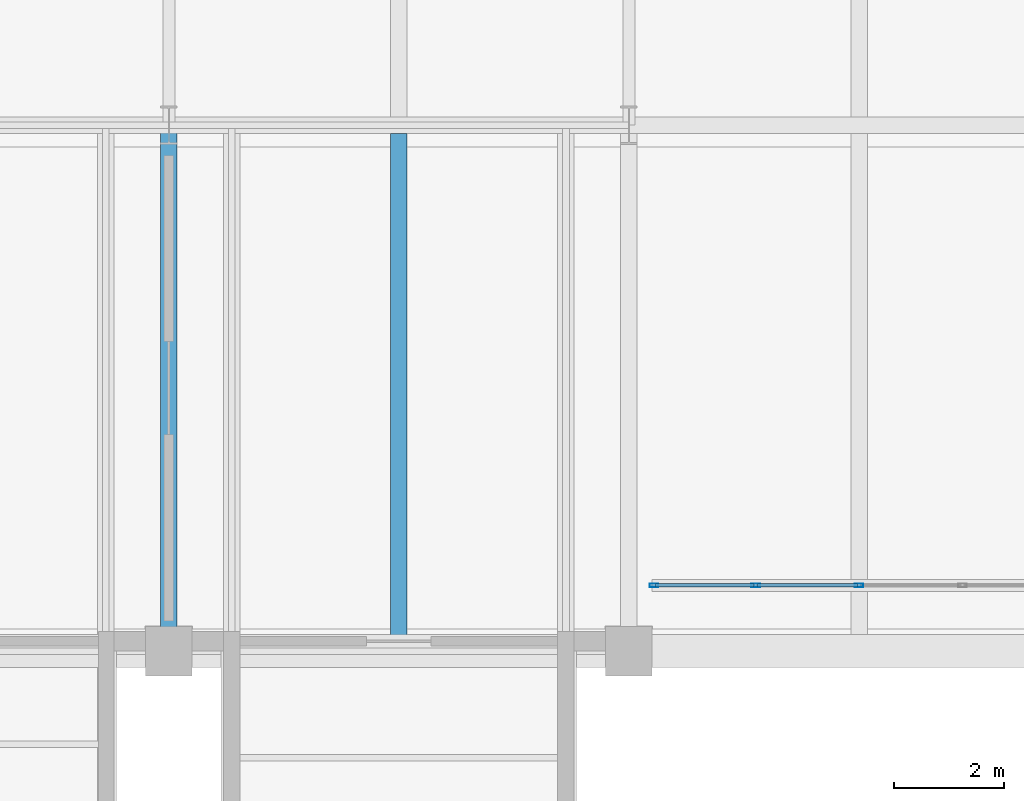
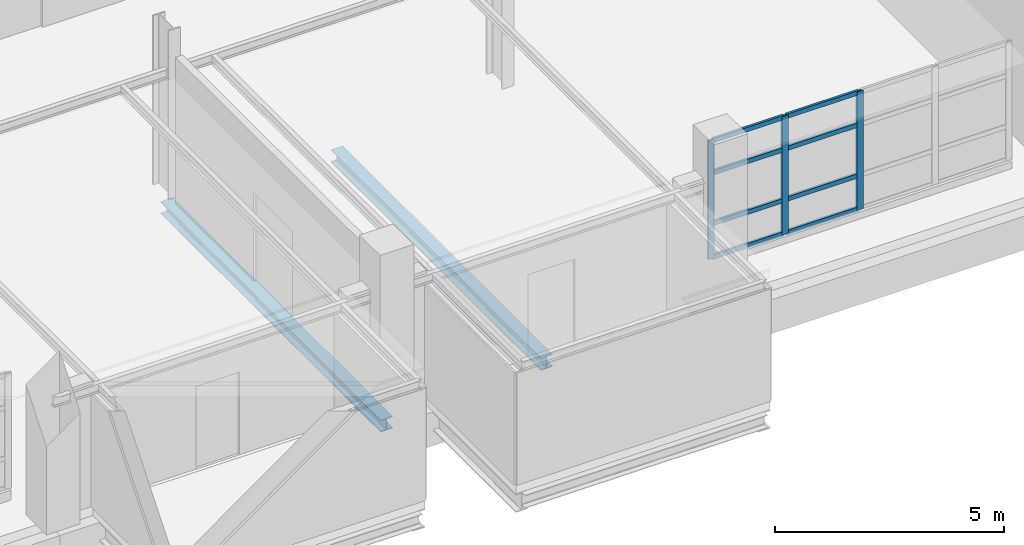
# One storey, part 26 of 113: 11 members, 2 beams, 1 element without a shape of its own.
"""IFC4 building model written with IfcOpenShell, lengths in metres."""

from ifc_helpers import new_model, si_unit, direction, frame, origin, origin_2d, place, context, subcontext, project, spatial, hollow_rectangle, i_section, extrude, material, material_profile, profile_set, type_object, element, aggregate, save


model = new_model("IFC4")

# Units and contexts
model_context = context("Model", 3, precision=1e-05, world=origin(), true_north=direction((0.0, 1.0)))
body_context = subcontext(model_context, "Body", "Model", "MODEL_VIEW")
ifc_project = project(units=[si_unit("LENGTHUNIT", "METRE"), si_unit("AREAUNIT", "SQUARE_METRE"), si_unit("VOLUMEUNIT", "CUBIC_METRE"), si_unit("PLANEANGLEUNIT", "RADIAN"), si_unit("MASSUNIT", "GRAM", prefix="KILO")], contexts=[model_context])

# Site, building, storey
site_placement = place(None, origin())
site = spatial("IfcSite", under=ifc_project, at=site_placement, CompositionType="ELEMENT")
building_placement = place(site_placement, origin())
building = spatial("IfcBuilding", under=site, at=building_placement, Name="Veltarok Museum of Natural Sciences", CompositionType="ELEMENT")
storey_placement = place(building_placement, frame((0.0, 0.0, 8.39990234375)))
storey = spatial("IfcBuildingStorey", under=building, at=storey_placement, Name="L01", CompositionType="ELEMENT", Elevation=8.39990234375)

# Curtain wall, members
ifc_material_1 = material(Name="Low-iron triple insulated glass", Category="glass")
curtain_wall_type = type_object("IfcCurtainWallType", Name="Curtain Wall System CW-CAB-L01-A-755x315 (V1 Recessed L01 755x315cm)", PredefinedType="NOTDEFINED", material=ifc_material_1)
curtain_wall_placement = place(storey_placement, origin())
curtain_wall = element("IfcCurtainWall", 1, at=curtain_wall_placement, inside=storey, type_object=curtain_wall_type, Name="Curtain Wall CW-CAB-L01-A-755x315 CW-0002", PredefinedType="NOTDEFINED")
ifc_material_2 = material(Name="Thermally broken anodised aluminium", Category="aluminium")
ifc_material_profile_1 = material_profile(ifc_material_2, hollow_rectangle(XDim=0.06005859375, YDim=0.1201171875, WallThickness=0.0048828125, at=origin_2d()), Name="CW TRANSOM 60x120x5")
ifc_profile_set_1 = profile_set([ifc_material_profile_1], Name="Thermally broken anodised aluminium")
member_type_1 = type_object("IfcMemberType", Name="Curtain Wall Horizontal Transom 60x120x5", PredefinedType="USERDEFINED", material=ifc_profile_set_1)
member_1_placement = place(storey_placement, frame((82.485107421875, 1.199951171875, 0.210205078125), z_axis=(1.0, 0.0, 0.0), x_axis=(0.0, 1.0, 0.0)))
member_1 = element("IfcMember", 2, at=member_1_placement, type_object=member_type_1, Name="CW-CAB-L01-A-755x315 transom 1.1", ObjectType="TRANSOM", PredefinedType="USERDEFINED", context=body_context, shape_type="SweptSolid", body=[
    extrude(hollow_rectangle(XDim=0.06005859375, YDim=0.1201171875, WallThickness=0.0048828125, at=origin_2d()), origin(), (0.0, 0.0, 1.0), 1.79736328125),
])
member_2_placement = place(storey_placement, frame((82.485107421875, 1.199951171875, 1.10009765625), z_axis=(1.0, 0.0, 0.0), x_axis=(0.0, 1.0, 0.0)))
member_2 = element("IfcMember", 3, at=member_2_placement, type_object=member_type_1, Name="CW-CAB-L01-A-755x315 transom 1.2", ObjectType="TRANSOM", PredefinedType="USERDEFINED", context=body_context, shape_type="SweptSolid", body=[
    extrude(hollow_rectangle(XDim=0.06005859375, YDim=0.1201171875, WallThickness=0.0048828125, at=origin_2d()), origin(), (0.0, 0.0, 1.0), 1.79736328125),
])
member_3_placement = place(storey_placement, frame((82.485107421875, 1.199951171875, 2.4501953125), z_axis=(1.0, 0.0, 0.0), x_axis=(0.0, 1.0, 0.0)))
member_3 = element("IfcMember", 4, at=member_3_placement, type_object=member_type_1, Name="CW-CAB-L01-A-755x315 transom 1.3", ObjectType="TRANSOM", PredefinedType="USERDEFINED", context=body_context, shape_type="SweptSolid", body=[
    extrude(hollow_rectangle(XDim=0.06005859375, YDim=0.1201171875, WallThickness=0.0048828125, at=origin_2d()), origin(), (0.0, 0.0, 1.0), 1.79736328125),
])
member_4_placement = place(storey_placement, frame((82.485107421875, 1.199951171875, 3.30517578125), z_axis=(1.0, 0.0, 0.0), x_axis=(0.0, 1.0, 0.0)))
member_4 = element("IfcMember", 5, at=member_4_placement, type_object=member_type_1, Name="CW-CAB-L01-A-755x315 transom 1.4", ObjectType="TRANSOM", PredefinedType="USERDEFINED", context=body_context, shape_type="SweptSolid", body=[
    extrude(hollow_rectangle(XDim=0.06005859375, YDim=0.1201171875, WallThickness=0.0048828125, at=origin_2d()), origin(), (0.0, 0.0, 1.0), 1.79736328125),
])
member_5_placement = place(storey_placement, frame((84.342529296875, 1.199951171875, 0.210205078125), z_axis=(1.0, 0.0, 0.0), x_axis=(0.0, 1.0, 0.0)))
member_5 = element("IfcMember", 6, at=member_5_placement, type_object=member_type_1, Name="CW-CAB-L01-A-755x315 transom 2.1", ObjectType="TRANSOM", PredefinedType="USERDEFINED", context=body_context, shape_type="SweptSolid", body=[
    extrude(hollow_rectangle(XDim=0.06005859375, YDim=0.1201171875, WallThickness=0.0048828125, at=origin_2d()), origin(), (0.0, 0.0, 1.0), 1.827392578125),
])
member_6_placement = place(storey_placement, frame((84.342529296875, 1.199951171875, 1.10009765625), z_axis=(1.0, 0.0, 0.0), x_axis=(0.0, 1.0, 0.0)))
member_6 = element("IfcMember", 7, at=member_6_placement, type_object=member_type_1, Name="CW-CAB-L01-A-755x315 transom 2.2", ObjectType="TRANSOM", PredefinedType="USERDEFINED", context=body_context, shape_type="SweptSolid", body=[
    extrude(hollow_rectangle(XDim=0.06005859375, YDim=0.1201171875, WallThickness=0.0048828125, at=origin_2d()), origin(), (0.0, 0.0, 1.0), 1.827392578125),
])
member_7_placement = place(storey_placement, frame((84.342529296875, 1.199951171875, 2.4501953125), z_axis=(1.0, 0.0, 0.0), x_axis=(0.0, 1.0, 0.0)))
member_7 = element("IfcMember", 8, at=member_7_placement, type_object=member_type_1, Name="CW-CAB-L01-A-755x315 transom 2.3", ObjectType="TRANSOM", PredefinedType="USERDEFINED", context=body_context, shape_type="SweptSolid", body=[
    extrude(hollow_rectangle(XDim=0.06005859375, YDim=0.1201171875, WallThickness=0.0048828125, at=origin_2d()), origin(), (0.0, 0.0, 1.0), 1.827392578125),
])
member_8_placement = place(storey_placement, frame((84.342529296875, 1.199951171875, 3.30517578125), z_axis=(1.0, 0.0, 0.0), x_axis=(0.0, 1.0, 0.0)))
member_8 = element("IfcMember", 9, at=member_8_placement, type_object=member_type_1, Name="CW-CAB-L01-A-755x315 transom 2.4", ObjectType="TRANSOM", PredefinedType="USERDEFINED", context=body_context, shape_type="SweptSolid", body=[
    extrude(hollow_rectangle(XDim=0.06005859375, YDim=0.1201171875, WallThickness=0.0048828125, at=origin_2d()), origin(), (0.0, 0.0, 1.0), 1.827392578125),
])
ifc_material_profile_2 = material_profile(ifc_material_2, hollow_rectangle(XDim=0.06005859375, YDim=0.159912109375, WallThickness=0.0048828125, at=origin_2d()), Name="CW MULLION 60x160x5")
ifc_profile_set_2 = profile_set([ifc_material_profile_2], Name="Thermally broken anodised aluminium")
member_type_2 = type_object("IfcMemberType", Name="Curtain Wall Vertical Mullion 60x160x5", PredefinedType="MULLION", material=ifc_profile_set_2)
member_9_placement = place(storey_placement, frame((82.455078125, 1.199951171875, 0.18017578125), z_axis=(0.0, 0.0, 1.0), x_axis=(0.0, 1.0, 0.0)))
member_9 = element("IfcMember", 10, at=member_9_placement, type_object=member_type_2, Name="CW-CAB-L01-A-755x315 mullion 1", PredefinedType="MULLION", context=body_context, shape_type="SweptSolid", body=[
    extrude(hollow_rectangle(XDim=0.06005859375, YDim=0.159912109375, WallThickness=0.0048828125, at=origin_2d()), origin(), (0.0, 0.0, 1.0), 3.155029296875),
])
member_10_placement = place(storey_placement, frame((84.3125, 1.199951171875, 0.18017578125), z_axis=(0.0, 0.0, 1.0), x_axis=(0.0, 1.0, 0.0)))
member_10 = element("IfcMember", 11, at=member_10_placement, type_object=member_type_2, Name="CW-CAB-L01-A-755x315 mullion 2", PredefinedType="MULLION", context=body_context, shape_type="SweptSolid", body=[
    extrude(hollow_rectangle(XDim=0.06005859375, YDim=0.159912109375, WallThickness=0.0048828125, at=origin_2d()), origin(), (0.0, 0.0, 1.0), 3.155029296875),
])
member_11_placement = place(storey_placement, frame((86.199951171875, 1.199951171875, 0.18017578125), z_axis=(0.0, 0.0, 1.0), x_axis=(0.0, 1.0, 0.0)))
member_11 = element("IfcMember", 12, at=member_11_placement, type_object=member_type_2, Name="CW-CAB-L01-A-755x315 mullion 3", PredefinedType="MULLION", context=body_context, shape_type="SweptSolid", body=[
    extrude(hollow_rectangle(XDim=0.06005859375, YDim=0.159912109375, WallThickness=0.0048828125, at=origin_2d()), origin(), (0.0, 0.0, 1.0), 3.155029296875),
])
aggregate(curtain_wall, [member_9, member_10, member_11, member_1, member_2, member_3, member_4, member_5, member_6, member_7, member_8])

# Beams
ifc_material_3 = material(Name="Steel S355J2", Category="steel")
ifc_material_profile_3 = material_profile(ifc_material_3, i_section(OverallWidth=0.300048828125, OverallDepth=0.330078125, WebThickness=0.009521484375, FlangeThickness=0.0166015625, FilletRadius=0.027099609375, at=origin_2d()), Name="HEA 340")
ifc_profile_set_3 = profile_set([ifc_material_profile_3], Name="Steel S355J2")
beam_type_1 = type_object("IfcBeamType", Name="Exhibition Floor Joist HEA 340", PredefinedType="JOIST", material=ifc_profile_set_3)
beam_1_placement = place(storey_placement, frame((77.800048828125, 0.298095703125, -0.414794921875), z_axis=(0.0, 1.0, 0.0), x_axis=(-1.0, 0.0, 0.0)))
element("IfcBeam", 13, at=beam_1_placement, inside=storey, type_object=beam_type_1, Name="Secondary Joist BM-J08 L01 9-10/A-B.1", PredefinedType="JOIST", context=body_context, shape_type="SweptSolid", body=[
    extrude(i_section(OverallWidth=0.300048828125, OverallDepth=0.330078125, WebThickness=0.009521484375, FlangeThickness=0.0166015625, FilletRadius=0.027099609375, at=origin_2d()), origin(), (0.0, 0.0, 1.0), 9.15380859375),
])
ifc_material_profile_4 = material_profile(ifc_material_3, i_section(OverallWidth=0.300048828125, OverallDepth=0.320068359375, WebThickness=0.011474609375, FlangeThickness=0.0205078125, FilletRadius=0.027099609375, at=origin_2d()), Name="HEB 320")
ifc_profile_set_4 = profile_set([ifc_material_profile_4], Name="Steel S355J2")
beam_type_2 = type_object("IfcBeamType", Name="Perimeter Sawtooth Spandrel HEB 320", PredefinedType="SPANDREL", material=ifc_profile_set_4)
beam_2_placement = place(storey_placement, frame((73.60009765625, 0.0, -0.409912109375), z_axis=(0.0, 1.0, 0.0), x_axis=(-1.0, 0.0, 0.0)))
element("IfcBeam", 14, at=beam_2_placement, inside=storey, type_object=beam_type_2, Name="Beam BM-SP06 L01 9/A-B", PredefinedType="SPANDREL", context=body_context, shape_type="SweptSolid", body=[
    extrude(i_section(OverallWidth=0.300048828125, OverallDepth=0.320068359375, WebThickness=0.011474609375, FlangeThickness=0.0205078125, FilletRadius=0.027099609375, at=origin_2d()), origin(), (0.0, 0.0, 1.0), 9.60009765625),
])

save(model, "model.ifc")
